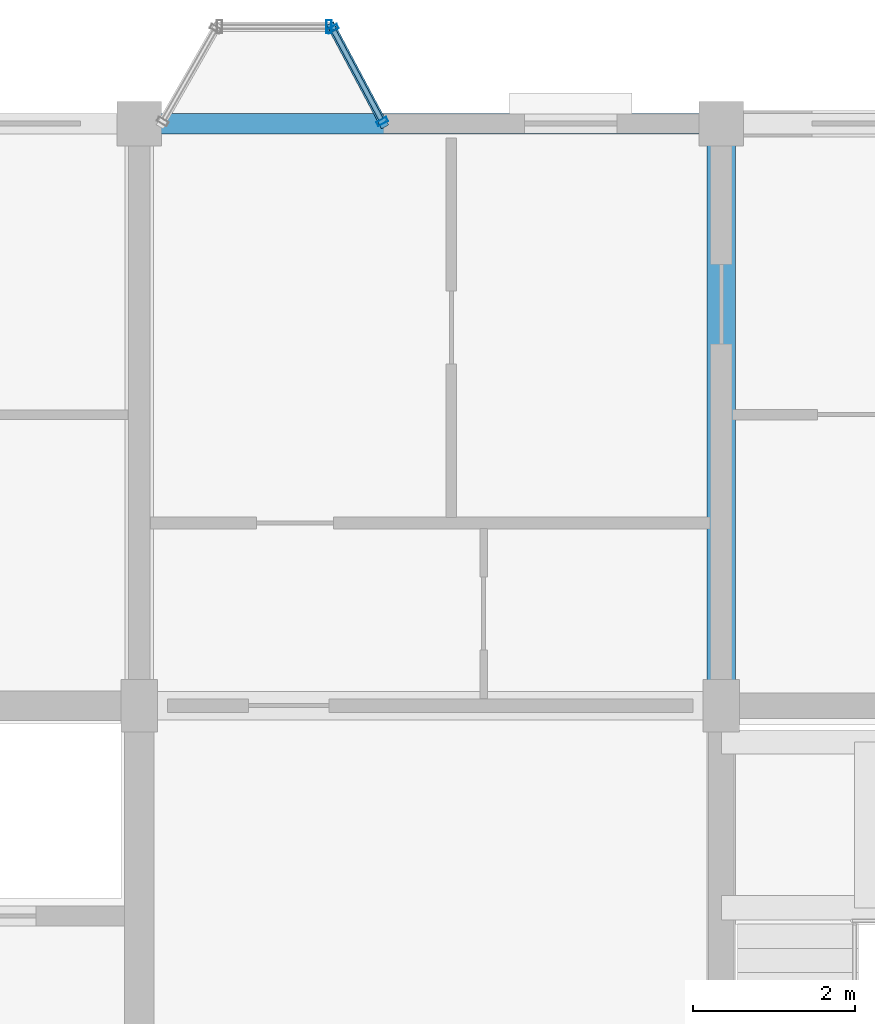
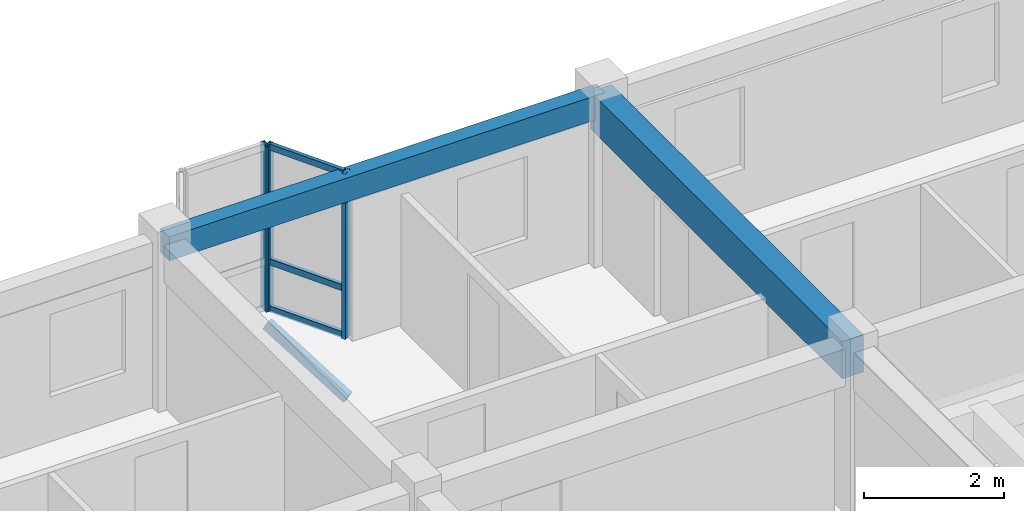
# One storey, part 44 of 77: 7 members, 2 beams, 2 elements without a shape of their own.
"""IFC4 building model written with IfcOpenShell, lengths in metres."""

from ifc_helpers import new_model, si_unit, direction, frame, origin, origin_2d, place, context, subcontext, project, spatial, rectangle, hollow_rectangle, extrude, material, layer, layer_set, material_profile, profile_set, type_object, element, aggregate, save


model = new_model("IFC4")

# Units and contexts
model_context = context("Model", 3, precision=1e-05, world=origin(), true_north=direction((0.0, 1.0)))
body_context = subcontext(model_context, "Body", "Model", "MODEL_VIEW")
ifc_project = project(units=[si_unit("LENGTHUNIT", "METRE"), si_unit("AREAUNIT", "SQUARE_METRE"), si_unit("VOLUMEUNIT", "CUBIC_METRE"), si_unit("PLANEANGLEUNIT", "RADIAN"), si_unit("MASSUNIT", "GRAM", prefix="KILO"), si_unit("THERMODYNAMICTEMPERATUREUNIT", "KELVIN"), si_unit("POWERUNIT", "WATT")], contexts=[model_context])

# Site, building, storey
site_placement = place(None, origin())
site = spatial("IfcSite", under=ifc_project, at=site_placement, CompositionType="ELEMENT")
building_placement = place(site_placement, origin())
building = spatial("IfcBuilding", under=site, at=building_placement, Name="Tavuni Mirador Residences", CompositionType="ELEMENT")
storey_placement = place(building_placement, frame((0.0, 0.0, 10.800048828125)))
storey = spatial("IfcBuildingStorey", under=building, at=storey_placement, Name="L03", CompositionType="ELEMENT", Elevation=10.800048828125)

# Beams
ifc_material_1 = material(Name="Precast concrete C40/50", Category="concrete")
ifc_material_profile_1 = material_profile(ifc_material_1, rectangle(XDim=0.35009765625, YDim=0.64990234375, at=origin_2d()), Name="PC 350x650", Category="concrete")
ifc_profile_set_1 = profile_set([ifc_material_profile_1], Name="Precast concrete C40/50")
beam_type_1 = type_object("IfcBeamType", Name="BT-B650", PredefinedType="BEAM", material=ifc_profile_set_1)
beam_1_placement = place(storey_placement, frame((39.60009765625, 165.60009765625, 2.56005859375), z_axis=(0.0, 1.0, 0.0), x_axis=(-1.0, 0.0, 0.0)))
element("IfcBeam", 1, at=beam_1_placement, inside=storey, type_object=beam_type_1, Name="BMY-BLK-C-L03-04-03", PredefinedType="BEAM", context=body_context, shape_type="SweptSolid", body=[
    extrude(rectangle(XDim=0.35009765625, YDim=0.64990234375, at=origin_2d()), origin(), (0.0, 0.0, 1.0), 7.199951171875),
])
ifc_material_profile_2 = material_profile(ifc_material_1, rectangle(XDim=0.25, YDim=0.419921875, at=origin_2d()), Name="PC 250x420", Category="concrete")
ifc_profile_set_2 = profile_set([ifc_material_profile_2], Name="Precast concrete C40/50")
beam_type_2 = type_object("IfcBeamType", Name="BT-SP420", PredefinedType="SPANDREL", material=ifc_profile_set_2)
beam_2_placement = place(storey_placement, frame((32.39990234375, 172.800048828125, 2.675048828125), z_axis=(1.0, 0.0, 0.0), x_axis=(0.0, 1.0, 0.0)))
element("IfcBeam", 2, at=beam_2_placement, inside=storey, type_object=beam_type_2, Name="BMX-BLK-C-L03-03-04", PredefinedType="SPANDREL", context=body_context, shape_type="SweptSolid", body=[
    extrude(rectangle(XDim=0.25, YDim=0.419921875, at=origin_2d()), origin(), (0.0, 0.0, 1.0), 7.2001953125),
])

# Curtain wall, members
ifc_material_2 = material(Name="Anodised aluminium", Category="aluminium")
ifc_layer_1 = layer(ifc_material_2, 0.1650390625, Name="Anodised aluminium", Category="aluminium")
ifc_layer_set_1 = layer_set([ifc_layer_1], Name="Anodised aluminium")
curtain_wall_type_1 = type_object("IfcCurtainWallType", Name="CWT-MIR-A", PredefinedType="NOTDEFINED", material=ifc_layer_set_1)
curtain_wall_1_placement = place(storey_placement, origin())
curtain_wall_1 = element("IfcCurtainWall", 3, at=curtain_wall_1_placement, inside=storey, type_object=curtain_wall_type_1, Name="CW-MIR-C-N2-L03-M1", PredefinedType="NOTDEFINED")
ifc_material_profile_3 = material_profile(ifc_material_2, hollow_rectangle(XDim=0.06005859375, YDim=0.139892578125, WallThickness=0.00390625, at=origin_2d()), Name="ALU 60x140x4.0", Category="aluminium")
ifc_profile_set_3 = profile_set([ifc_material_profile_3], Name="Anodised aluminium")
member_type_1 = type_object("IfcMemberType", Name="CWM-140", PredefinedType="MULLION", material=ifc_profile_set_3)
member_1_placement = place(storey_placement, frame((35.40576171875, 172.826416015625, 0.0), z_axis=(0.0, 0.0, 1.0), x_axis=(-0.470588235296, 0.882352941175, 0.0)))
member_1 = element("IfcMember", 4, at=member_1_placement, type_object=member_type_1, Name="CW-01 mullion 1", PredefinedType="MULLION", context=body_context, shape_type="SweptSolid", body=[
    extrude(hollow_rectangle(XDim=0.06005859375, YDim=0.139892578125, WallThickness=0.00390625, at=origin_2d()), origin(), (0.0, 0.0, 1.0), 2.885009765625),
])
member_2_placement = place(storey_placement, frame((34.794189453125, 173.9736328125, 0.0), z_axis=(0.0, 0.0, 1.0), x_axis=(-0.470588235296, 0.882352941175, 0.0)))
member_2 = element("IfcMember", 5, at=member_2_placement, type_object=member_type_1, Name="CW-01 mullion 2", PredefinedType="MULLION", context=body_context, shape_type="SweptSolid", body=[
    extrude(hollow_rectangle(XDim=0.06005859375, YDim=0.139892578125, WallThickness=0.00390625, at=origin_2d()), origin(), (0.0, 0.0, 1.0), 2.885009765625),
])

# Curtain wall, member
ifc_layer_2 = layer(ifc_material_2, 0.14990234375, Name="Anodised aluminium", Category="aluminium")
ifc_layer_set_2 = layer_set([ifc_layer_2], Name="Anodised aluminium")
curtain_wall_type_2 = type_object("IfcCurtainWallType", Name="CWT-MIR-B", PredefinedType="NOTDEFINED", material=ifc_layer_set_2)
curtain_wall_2_placement = place(storey_placement, origin())
curtain_wall_2 = element("IfcCurtainWall", 6, at=curtain_wall_2_placement, inside=storey, type_object=curtain_wall_type_2, Name="CW-MIR-C-N2-L03-MF", PredefinedType="NOTDEFINED")
ifc_material_profile_4 = material_profile(ifc_material_2, hollow_rectangle(XDim=0.06494140625, YDim=0.1650390625, WallThickness=0.00439453125, at=origin_2d()), Name="ALU 65x165x4.5", Category="aluminium")
ifc_profile_set_4 = profile_set([ifc_material_profile_4], Name="Anodised aluminium")
member_type_2 = type_object("IfcMemberType", Name="CWM-165", PredefinedType="MULLION", material=ifc_profile_set_4)
member_3_placement = place(storey_placement, frame((34.74755859375, 174.0, 0.0), z_axis=(0.0, 0.0, 1.0), x_axis=(-1.0, 0.0, 0.0)))
member_3 = element("IfcMember", 7, at=member_3_placement, type_object=member_type_2, Name="CW-02 mullion 1", PredefinedType="MULLION", context=body_context, shape_type="SweptSolid", body=[
    extrude(hollow_rectangle(XDim=0.06494140625, YDim=0.1650390625, WallThickness=0.00439453125, at=origin_2d()), origin(), (0.0, 0.0, 1.0), 2.885009765625),
])
aggregate(curtain_wall_2, [member_3])

# Member
ifc_material_profile_5 = material_profile(ifc_material_2, hollow_rectangle(XDim=0.06005859375, YDim=0.110107421875, WallThickness=0.00390625, at=origin_2d()), Name="ALU 60x110x4.0", Category="aluminium")
ifc_profile_set_5 = profile_set([ifc_material_profile_5], Name="Anodised aluminium")
member_type_3 = type_object("IfcMemberType", Name="CWT-110", PredefinedType="USERDEFINED", material=ifc_profile_set_5)
member_4_placement = place(storey_placement, frame((35.391845703125, 172.85302734375, 0.030029296875), z_axis=(-0.470608675382, 0.882342039492, 0.0), x_axis=(-0.882342039492, -0.470608675382, 0.0)))
member_4 = element("IfcMember", 8, at=member_4_placement, type_object=member_type_3, Name="CW-01 transom 1.1", ObjectType="TRANSOM", PredefinedType="USERDEFINED", context=body_context, shape_type="SweptSolid", body=[
    extrude(hollow_rectangle(XDim=0.06005859375, YDim=0.110107421875, WallThickness=0.00390625, at=origin_2d()), origin(), (0.0, 0.0, 1.0), 1.239990234375),
])

member_5_placement = place(storey_placement, frame((35.391845703125, 172.85302734375, 0.849853515625), z_axis=(-0.470608675382, 0.882342039492, 0.0), x_axis=(-0.882342039492, -0.470608675382, 0.0)))
member_5 = element("IfcMember", 9, at=member_5_placement, type_object=member_type_3, Name="CW-01 transom 1.2", ObjectType="TRANSOM", PredefinedType="USERDEFINED", context=body_context, shape_type="SweptSolid", body=[
    extrude(hollow_rectangle(XDim=0.06005859375, YDim=0.110107421875, WallThickness=0.00390625, at=origin_2d()), origin(), (0.0, 0.0, 1.0), 1.239990234375),
])

member_6_placement = place(storey_placement, frame((35.391845703125, 172.85302734375, 2.85498046875), z_axis=(-0.470608675382, 0.882342039492, 0.0), x_axis=(-0.882342039492, -0.470608675382, 0.0)))
member_6 = element("IfcMember", 10, at=member_6_placement, type_object=member_type_3, Name="CW-01 transom 1.3", ObjectType="TRANSOM", PredefinedType="USERDEFINED", context=body_context, shape_type="SweptSolid", body=[
    extrude(hollow_rectangle(XDim=0.06005859375, YDim=0.110107421875, WallThickness=0.00390625, at=origin_2d()), origin(), (0.0, 0.0, 1.0), 1.239990234375),
])

aggregate(curtain_wall_1, [member_1, member_2, member_4, member_5, member_6])

ifc_material_3 = material(Name="Structural steel S355", Category="steel")
ifc_material_profile_6 = material_profile(ifc_material_3, hollow_rectangle(XDim=0.10009765625, YDim=0.179931640625, WallThickness=0.008056640625, at=origin_2d()), Name="RHS 180x100x8.0", Category="steel")
ifc_profile_set_6 = profile_set([ifc_material_profile_6], Name="Structural steel S355")
member_type_4 = type_object("IfcMemberType", Name="MT-BR-RHS180", PredefinedType="BRACE", material=ifc_profile_set_6)
member_7_placement = place(storey_placement, frame((35.419921875, 172.800048828125, -1.050048828125), z_axis=(-0.407530885562, 0.764217589674, 0.499890040855), x_axis=(-0.882377788047, -0.47054164445, 0.0)))
element("IfcMember", 11, at=member_7_placement, inside=storey, type_object=member_type_4, Name="MBRK-MIR-C-N2-L03-2", PredefinedType="BRACE", context=body_context, shape_type="SweptSolid", body=[
    extrude(hollow_rectangle(XDim=0.10009765625, YDim=0.179931640625, WallThickness=0.008056640625, at=origin_2d()), origin(), (0.0, 0.0, 1.0), 1.570068359375),
])

save(model, "model.ifc")
